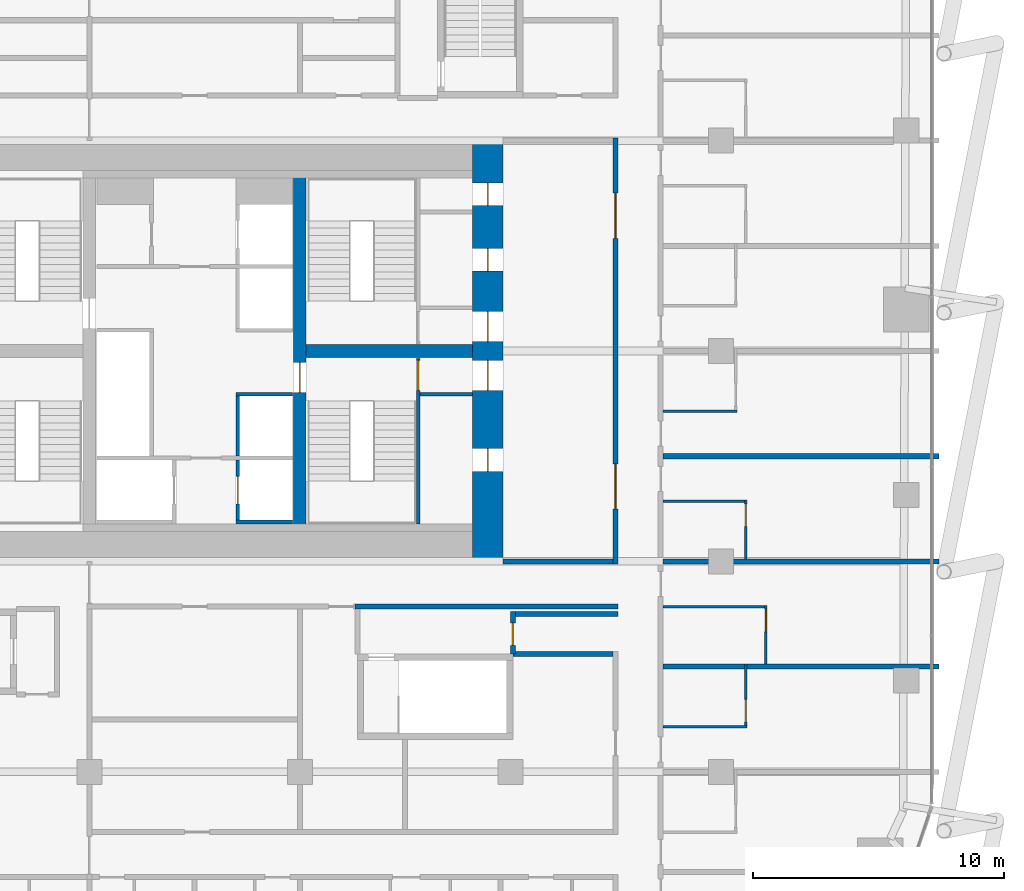
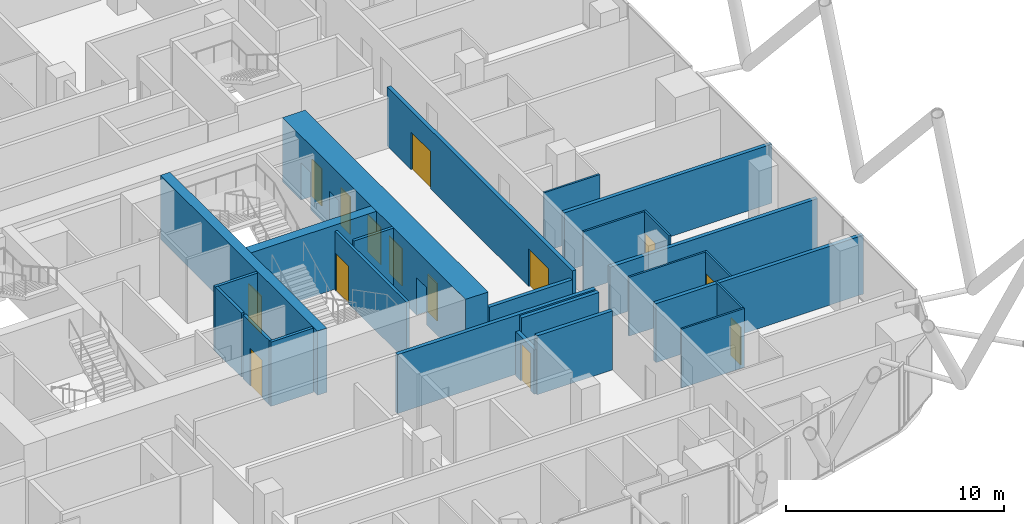
# One storey, part 30 of 36: 25 walls, 14 doors, 14 openings.
"""IFC4 building model written with IfcOpenShell, lengths in metres."""

from ifc_helpers import new_model, si_unit, direction, frame, frame_2d, origin, place, context, subcontext, project, spatial, rectangle, extrude, material, layer, layer_set, type_object, element, fill, save


model = new_model("IFC4")

# Units and contexts
model_context = context("Model", 3, precision=1e-05, world=origin(), true_north=direction((0.0, 1.0)))
body_context = subcontext(model_context, "Body", "Model", "MODEL_VIEW")
ifc_project = project(units=[si_unit("LENGTHUNIT", "METRE"), si_unit("AREAUNIT", "SQUARE_METRE"), si_unit("VOLUMEUNIT", "CUBIC_METRE"), si_unit("PLANEANGLEUNIT", "RADIAN"), si_unit("MASSUNIT", "GRAM", prefix="KILO")], contexts=[model_context])

# Site, building, storey
site_placement = place(None, origin())
site = spatial("IfcSite", under=ifc_project, at=site_placement, CompositionType="ELEMENT")
building_placement = place(site_placement, origin())
building = spatial("IfcBuilding", under=site, at=building_placement, Name="Marenta Gate Hotel Tower", CompositionType="ELEMENT")
storey_placement = place(building_placement, frame((0.0, 0.0, 83.300048828125)))
storey = spatial("IfcBuildingStorey", under=building, at=storey_placement, Name="L19", CompositionType="ELEMENT", Elevation=83.300048828125)

# Wall, openings, doors
ifc_material_1 = material(Name="Concrete blockwork", Category="masonry")
ifc_layer_1 = layer(ifc_material_1, 0.199951171875)
ifc_layer_set_1 = layer_set([ifc_layer_1], Name="Concrete blockwork")
wall_type_1 = type_object("IfcWallType", Name="Core boundary wall 200 REI 180", PredefinedType="PARTITIONING", material=ifc_layer_set_1)
wall_1_placement = place(storey_placement, frame((16.800048828125, -0.10009765625, 0.0), z_axis=(0.0, 0.0, 1.0), x_axis=(0.0, 1.0, 0.0)))
wall_1 = element("IfcWall", 1, at=wall_1_placement, inside=storey, type_object=wall_type_1, Name="L19-CP-BW-E", PredefinedType="PARTITIONING", context=body_context, shape_type="SweptSolid", body=[
    extrude(rectangle(XDim=17.0, YDim=0.199951171875, at=frame_2d((8.5, 0.0))), origin(), (0.0, 0.0, 1.0), 3.300048828125),
])
opening_1_placement = place(wall_1_placement, frame((2.199951171875, 0.0, 0.0)))
opening_1 = element("IfcOpeningElement", 2, at=opening_1_placement, cuts=wall_1, Name="Opening ED-Ea-B", PredefinedType="OPENING", context=body_context, shape_type="SweptSolid", body=[
    extrude(rectangle(XDim=1.800048828125, YDim=2.10009765625, at=frame_2d((0.89990234375, 1.050048828125))), frame((0.0, 0.10009765625, 0.0), z_axis=(0.0, -1.0, 0.0), x_axis=(1.0, 0.0, 0.0)), (0.0, 0.0, 1.0), 0.199951171875),
])
opening_2_placement = place(wall_1_placement, frame((13.0, 0.0, 0.0)))
opening_2 = element("IfcOpeningElement", 3, at=opening_2_placement, cuts=wall_1, Name="Opening ED-Eb-B", PredefinedType="OPENING", context=body_context, shape_type="SweptSolid", body=[
    extrude(rectangle(XDim=1.800048828125, YDim=2.10009765625, at=frame_2d((0.89990234375, 1.050048828125))), frame((0.0, 0.10009765625, 0.0), z_axis=(0.0, -1.0, 0.0), x_axis=(1.0, 0.0, 0.0)), (0.0, 0.0, 1.0), 0.199951171875),
])
ifc_material_2 = material(Name="Steel", Category="steel")
door_type_1 = type_object("IfcDoorType", Name="Core lobby entrance door 1800x2100 EI 60", OperationType="DOUBLE_DOOR_SINGLE_SWING", PredefinedType="DOOR", material=ifc_material_2)
door_1_placement = place(opening_1_placement, origin())
door_1 = element("IfcDoor", 4, at=door_1_placement, inside=storey, type_object=door_type_1, Name="ED-Ea-B", OperationType="DOUBLE_DOOR_SINGLE_SWING", OverallHeight=2.10009765625, OverallWidth=1.800048828125, PredefinedType="DOOR", context=body_context, shape_type="SweptSolid", body=[
    extrude(rectangle(XDim=1.800048828125, YDim=2.10009765625, at=frame_2d((0.89990234375, 1.050048828125))), frame((0.0, 0.02490234375, 0.0), z_axis=(0.0, -1.0, 0.0), x_axis=(1.0, 0.0, 0.0)), (0.0, 0.0, 1.0), 0.050048828125),
])
fill(opening_1, door_1)
door_2_placement = place(opening_2_placement, origin())
door_2 = element("IfcDoor", 5, at=door_2_placement, inside=storey, type_object=door_type_1, Name="ED-Eb-B", OperationType="DOUBLE_DOOR_SINGLE_SWING", OverallHeight=2.10009765625, OverallWidth=1.800048828125, PredefinedType="DOOR", context=body_context, shape_type="SweptSolid", body=[
    extrude(rectangle(XDim=1.800048828125, YDim=2.10009765625, at=frame_2d((0.89990234375, 1.050048828125))), frame((0.0, 0.02490234375, 0.0), z_axis=(0.0, -1.0, 0.0), x_axis=(1.0, 0.0, 0.0)), (0.0, 0.0, 1.0), 0.050048828125),
])
fill(opening_2, door_2)

# Walls
wall_2_placement = place(storey_placement, frame((12.300048828125, 0.0, 0.0), z_axis=(0.0, 0.0, 1.0), x_axis=(1.0, 0.0, 0.0)))
element("IfcWall", 6, at=wall_2_placement, inside=storey, type_object=wall_type_1, Name="L19-CP-EW-ES", PredefinedType="PARTITIONING", context=body_context, shape_type="SweptSolid", body=[
    extrude(rectangle(XDim=4.39990234375, YDim=0.199951171875, at=frame_2d((2.199951171875, 0.0))), origin(), (0.0, 0.0, 1.0), 2.800048828125),
])
ifc_material_3 = material(Name="Concrete blockwork", Category="masonry")
ifc_layer_2 = layer(ifc_material_3, 0.14990234375)
ifc_layer_set_2 = layer_set([ifc_layer_2], Name="Concrete blockwork")
wall_type_2 = type_object("IfcWallType", Name="Core room partition 150 REI 180", PredefinedType="PARTITIONING", material=ifc_layer_set_2)
wall_3_placement = place(storey_placement, frame((9.0, 6.675048828125, 0.0), z_axis=(0.0, 0.0, 1.0), x_axis=(1.0, 0.0, 0.0)))
element("IfcWall", 7, at=wall_3_placement, inside=storey, type_object=wall_type_2, Name="L19-CP-SW-ES-2", PredefinedType="PARTITIONING", context=body_context, shape_type="SweptSolid", body=[
    extrude(rectangle(XDim=2.10009765625, YDim=0.14990234375, at=frame_2d((1.050048828125, 0.0))), origin(), (0.0, 0.0, 1.0), 3.599853515625),
])

# Wall, opening, door
ifc_material_4 = material(Name="Concrete C40", Category="concrete")
ifc_layer_3 = layer(ifc_material_4, 0.14990234375)
ifc_layer_set_3 = layer_set([ifc_layer_3], Name="Concrete C40")
wall_type_3 = type_object("IfcWallType", Name="Core shaft wall 150 REI 180", PredefinedType="SHEAR", material=ifc_layer_set_3)
wall_4_placement = place(storey_placement, frame((1.72509765625, 1.64990234375, 0.0), z_axis=(0.0, 0.0, 1.0), x_axis=(0.0, 1.0, 0.0)))
wall_4 = element("IfcWall", 8, at=wall_4_placement, inside=storey, type_object=wall_type_3, Name="L19-SHF-CE-S-ls", PredefinedType="SHEAR", context=body_context, shape_type="SweptSolid", body=[
    extrude(rectangle(XDim=2.400146484375, YDim=0.14990234375, at=frame_2d((1.2001953125, 0.0))), origin(), (0.0, 0.0, 1.0), 3.599853515625),
])
opening_3_placement = place(wall_4_placement, frame((0.64990234375, 0.0, 0.0)))
opening_3 = element("IfcOpeningElement", 9, at=opening_3_placement, cuts=wall_4, Name="Opening LD-SV1", PredefinedType="OPENING", context=body_context, shape_type="SweptSolid", body=[
    extrude(rectangle(XDim=1.10009765625, YDim=2.10009765625, at=frame_2d((0.550048828125, 1.050048828125))), frame((0.0, 0.074951171875, 0.0), z_axis=(0.0, -1.0, 0.0), x_axis=(1.0, 0.0, 0.0)), (0.0, 0.0, 1.0), 0.14990234375),
])
ifc_material_5 = material(Name="Steel", Category="steel")
door_type_2 = type_object("IfcDoorType", Name="Core lift landing door 1100x2100 E 60", OperationType="SLIDING_TO_LEFT", PredefinedType="DOOR", material=ifc_material_5)
door_3_placement = place(opening_3_placement, origin())
door_3 = element("IfcDoor", 10, at=door_3_placement, inside=storey, type_object=door_type_2, Name="LD-SV1", OperationType="SLIDING_TO_LEFT", OverallHeight=2.10009765625, OverallWidth=1.10009765625, PredefinedType="DOOR", context=body_context, shape_type="SweptSolid", body=[
    extrude(rectangle(XDim=1.10009765625, YDim=2.10009765625, at=frame_2d((0.550048828125, 1.050048828125))), frame((0.0, 0.02490234375, 0.0), z_axis=(0.0, -1.0, 0.0), x_axis=(1.0, 0.0, 0.0)), (0.0, 0.0, 1.0), 0.050048828125),
])
fill(opening_3, door_3)

# Walls
for number, where, z_axis, x_axis, name in (
    (11, (1.64990234375, 1.574951171875, 0.0), (0.0, 0.0, 1.0), (1.0, 0.0, 0.0), "L19-SHF-CE-S-bot"),
    (12, (1.64990234375, 6.675048828125, 0.0), (0.0, 0.0, 1.0), (1.0, 0.0, 0.0), "L19-SHF-CE-sep1"),
):
    element("IfcWall", number, at=place(storey_placement, frame(where, z_axis=z_axis, x_axis=x_axis)), inside=storey, type_object=wall_type_3, Name=name, PredefinedType="SHEAR", context=body_context, shape_type="SweptSolid", body=[
        extrude(rectangle(XDim=2.25, YDim=0.14990234375, at=frame_2d((1.125, 0.0))), origin(), (0.0, 0.0, 1.0), 3.599853515625),
    ])
wall_5_placement = place(storey_placement, frame((1.72509765625, 4.199951171875, 0.0), z_axis=(0.0, 0.0, 1.0), x_axis=(0.0, 1.0, 0.0)))
element("IfcWall", 13, at=wall_5_placement, inside=storey, type_object=wall_type_3, Name="L19-SHF-CE-front-1", PredefinedType="SHEAR", context=body_context, shape_type="SweptSolid", body=[
    extrude(rectangle(XDim=2.400146484375, YDim=0.14990234375, at=frame_2d((1.2001953125, 0.0))), origin(), (0.0, 0.0, 1.0), 3.599853515625),
])

# Wall, opening, door
ifc_material_6 = material(Name="Concrete C40", Category="concrete")
ifc_layer_4 = layer(ifc_material_6, 0.14990234375)
ifc_layer_set_4 = layer_set([ifc_layer_4], Name="Concrete C40")
wall_type_4 = type_object("IfcWallType", Name="Core stair enclosure wall 150 REI 180", PredefinedType="SHEAR", material=ifc_layer_set_4)
wall_6_placement = place(storey_placement, frame((8.925048828125, 1.5, 0.0), z_axis=(0.0, 0.0, 1.0), x_axis=(0.0, 1.0, 0.0)))
wall_6 = element("IfcWall", 14, at=wall_6_placement, inside=storey, type_object=wall_type_4, Name="L19-SHF-SW-ES-3", PredefinedType="SHEAR", context=body_context, shape_type="SweptSolid", body=[
    extrude(rectangle(XDim=6.60009765625, YDim=0.14990234375, at=frame_2d((3.300048828125, 0.0))), origin(), (0.0, 0.0, 1.0), 3.300048828125),
])
opening_4_placement = place(wall_6_placement, frame((5.324951171875, 0.0, 0.0)))
opening_4 = element("IfcOpeningElement", 15, at=opening_4_placement, cuts=wall_6, Name="Opening SD-ES", PredefinedType="OPENING", context=body_context, shape_type="SweptSolid", body=[
    extrude(rectangle(XDim=1.199951171875, YDim=2.10009765625, at=frame_2d((0.60009765625, 1.050048828125))), frame((0.0, 0.074951171875, 0.0), z_axis=(0.0, -1.0, 0.0), x_axis=(1.0, 0.0, 0.0)), (0.0, 0.0, 1.0), 0.14990234375),
])
ifc_material_7 = material(Name="Steel", Category="steel")
door_type_3 = type_object("IfcDoorType", Name="Core stair door 1200x2100 FD60", OperationType="SINGLE_SWING_LEFT", PredefinedType="DOOR", material=ifc_material_7)
door_4_placement = place(opening_4_placement, origin())
door_4 = element("IfcDoor", 16, at=door_4_placement, inside=storey, type_object=door_type_3, Name="SD-ES", OperationType="SINGLE_SWING_LEFT", OverallHeight=2.10009765625, OverallWidth=1.199951171875, PredefinedType="DOOR", context=body_context, shape_type="SweptSolid", body=[
    extrude(rectangle(XDim=1.199951171875, YDim=2.10009765625, at=frame_2d((0.60009765625, 1.050048828125))), frame((0.0, 0.02490234375, 0.0), z_axis=(0.0, -1.0, 0.0), x_axis=(1.0, 0.0, 0.0)), (0.0, 0.0, 1.0), 0.050048828125),
])
fill(opening_4, door_4)

# Wall, openings, doors
ifc_material_8 = material(Name="Concrete C80", Category="concrete")
ifc_layer_5 = layer(ifc_material_8, 1.199951171875)
ifc_layer_set_5 = layer_set([ifc_layer_5], Name="Concrete C80")
wall_type_5 = type_object("IfcWallType", Name="Core wall 1200 C80", PredefinedType="SHEAR", material=ifc_layer_set_5)
wall_7_placement = place(storey_placement, frame((11.699951171875, 0.0, 0.0), z_axis=(0.0, 0.0, 1.0), x_axis=(0.0, 1.0, 0.0)))
wall_7 = element("IfcWall", 17, at=wall_7_placement, inside=storey, type_object=wall_type_5, Name="L19-CORE-E", PredefinedType="SHEAR", context=body_context, shape_type="SweptSolid", body=[
    extrude(rectangle(XDim=16.800048828125, YDim=1.199951171875, at=frame_2d((8.39990234375, 0.0))), origin(), (0.0, 0.0, 1.0), 3.599853515625),
])
opening_5_placement = place(wall_7_placement, frame((3.60009765625, 0.0, 0.0)))
opening_5 = element("IfcOpeningElement", 18, at=opening_5_placement, cuts=wall_7, Name="Opening RD-ES-1", PredefinedType="OPENING", context=body_context, shape_type="SweptSolid", body=[
    extrude(rectangle(XDim=0.89990234375, YDim=2.10009765625, at=frame_2d((0.449951171875, 1.050048828125))), frame((0.0, 0.60009765625, 0.0), z_axis=(0.0, -1.0, 0.0), x_axis=(1.0, 0.0, 0.0)), (0.0, 0.0, 1.0), 1.199951171875),
])
opening_6_placement = place(wall_7_placement, frame((6.824951171875, 0.0, 0.0)))
opening_6 = element("IfcOpeningElement", 19, at=opening_6_placement, cuts=wall_7, Name="Opening PD-ES", PredefinedType="OPENING", context=body_context, shape_type="SweptSolid", body=[
    extrude(rectangle(XDim=1.199951171875, YDim=2.10009765625, at=frame_2d((0.60009765625, 1.050048828125))), frame((0.0, 0.60009765625, 0.0), z_axis=(0.0, -1.0, 0.0), x_axis=(1.0, 0.0, 0.0)), (0.0, 0.0, 1.0), 1.199951171875),
])
opening_7_placement = place(wall_7_placement, frame((14.21240234375, 0.0, 0.0)))
opening_7 = element("IfcOpeningElement", 20, at=opening_7_placement, cuts=wall_7, Name="Opening RD-EN-1", PredefinedType="OPENING", context=body_context, shape_type="SweptSolid", body=[
    extrude(rectangle(XDim=0.89990234375, YDim=2.10009765625, at=frame_2d((0.449951171875, 1.050048828125))), frame((0.0, 0.60009765625, 0.0), z_axis=(0.0, -1.0, 0.0), x_axis=(1.0, 0.0, 0.0)), (0.0, 0.0, 1.0), 1.199951171875),
])
opening_8_placement = place(wall_7_placement, frame((11.58740234375, 0.0, 0.0)))
opening_8 = element("IfcOpeningElement", 21, at=opening_8_placement, cuts=wall_7, Name="Opening RD-EN-2", PredefinedType="OPENING", context=body_context, shape_type="SweptSolid", body=[
    extrude(rectangle(XDim=0.89990234375, YDim=2.10009765625, at=frame_2d((0.449951171875, 1.050048828125))), frame((0.0, 0.60009765625, 0.0), z_axis=(0.0, -1.0, 0.0), x_axis=(1.0, 0.0, 0.0)), (0.0, 0.0, 1.0), 1.199951171875),
])
opening_9_placement = place(wall_7_placement, frame((8.77490234375, 0.0, 0.0)))
opening_9 = element("IfcOpeningElement", 22, at=opening_9_placement, cuts=wall_7, Name="Opening PD-EN", PredefinedType="OPENING", context=body_context, shape_type="SweptSolid", body=[
    extrude(rectangle(XDim=1.199951171875, YDim=2.10009765625, at=frame_2d((0.60009765625, 1.050048828125))), frame((0.0, 0.60009765625, 0.0), z_axis=(0.0, -1.0, 0.0), x_axis=(1.0, 0.0, 0.0)), (0.0, 0.0, 1.0), 1.199951171875),
])
ifc_material_9 = material(Name="Steel", Category="steel")
door_type_4 = type_object("IfcDoorType", Name="Core lobby door 1200x2100 FD60", OperationType="SINGLE_SWING_LEFT", PredefinedType="DOOR", material=ifc_material_9)
door_5_placement = place(opening_6_placement, origin())
door_5 = element("IfcDoor", 23, at=door_5_placement, inside=storey, type_object=door_type_4, Name="PD-ES", OperationType="SINGLE_SWING_LEFT", OverallHeight=2.10009765625, OverallWidth=1.199951171875, PredefinedType="DOOR", context=body_context, shape_type="SweptSolid", body=[
    extrude(rectangle(XDim=1.199951171875, YDim=2.10009765625, at=frame_2d((0.60009765625, 1.050048828125))), frame((0.0, 0.02490234375, 0.0), z_axis=(0.0, -1.0, 0.0), x_axis=(1.0, 0.0, 0.0)), (0.0, 0.0, 1.0), 0.050048828125),
])
fill(opening_6, door_5)
door_6_placement = place(opening_9_placement, origin())
door_6 = element("IfcDoor", 24, at=door_6_placement, inside=storey, type_object=door_type_4, Name="PD-EN", OperationType="SINGLE_SWING_LEFT", OverallHeight=2.10009765625, OverallWidth=1.199951171875, PredefinedType="DOOR", context=body_context, shape_type="SweptSolid", body=[
    extrude(rectangle(XDim=1.199951171875, YDim=2.10009765625, at=frame_2d((0.60009765625, 1.050048828125))), frame((0.0, 0.02490234375, 0.0), z_axis=(0.0, -1.0, 0.0), x_axis=(1.0, 0.0, 0.0)), (0.0, 0.0, 1.0), 0.050048828125),
])
fill(opening_9, door_6)
ifc_material_10 = material(Name="Steel", Category="steel")
door_type_5 = type_object("IfcDoorType", Name="Core service room door 900x2100 FD30S", OperationType="SINGLE_SWING_LEFT", PredefinedType="DOOR", material=ifc_material_10)
door_7_placement = place(opening_5_placement, origin())
door_7 = element("IfcDoor", 25, at=door_7_placement, inside=storey, type_object=door_type_5, Name="RD-ES-1", OperationType="SINGLE_SWING_LEFT", OverallHeight=2.10009765625, OverallWidth=0.89990234375, PredefinedType="DOOR", context=body_context, shape_type="SweptSolid", body=[
    extrude(rectangle(XDim=0.89990234375, YDim=2.10009765625, at=frame_2d((0.449951171875, 1.050048828125))), frame((0.0, 0.02490234375, 0.0), z_axis=(0.0, -1.0, 0.0), x_axis=(1.0, 0.0, 0.0)), (0.0, 0.0, 1.0), 0.050048828125),
])
fill(opening_5, door_7)
door_8_placement = place(opening_7_placement, origin())
door_8 = element("IfcDoor", 26, at=door_8_placement, inside=storey, type_object=door_type_5, Name="RD-EN-1", OperationType="SINGLE_SWING_LEFT", OverallHeight=2.10009765625, OverallWidth=0.89990234375, PredefinedType="DOOR", context=body_context, shape_type="SweptSolid", body=[
    extrude(rectangle(XDim=0.89990234375, YDim=2.10009765625, at=frame_2d((0.449951171875, 1.050048828125))), frame((0.0, 0.02490234375, 0.0), z_axis=(0.0, -1.0, 0.0), x_axis=(1.0, 0.0, 0.0)), (0.0, 0.0, 1.0), 0.050048828125),
])
fill(opening_7, door_8)
door_9_placement = place(opening_8_placement, origin())
door_9 = element("IfcDoor", 27, at=door_9_placement, inside=storey, type_object=door_type_5, Name="RD-EN-2", OperationType="SINGLE_SWING_LEFT", OverallHeight=2.10009765625, OverallWidth=0.89990234375, PredefinedType="DOOR", context=body_context, shape_type="SweptSolid", body=[
    extrude(rectangle(XDim=0.89990234375, YDim=2.10009765625, at=frame_2d((0.449951171875, 1.050048828125))), frame((0.0, 0.02490234375, 0.0), z_axis=(0.0, -1.0, 0.0), x_axis=(1.0, 0.0, 0.0)), (0.0, 0.0, 1.0), 0.050048828125),
])
fill(opening_8, door_9)

# Wall, opening, door
ifc_material_11 = material(Name="Concrete C80", Category="concrete")
ifc_layer_6 = layer(ifc_material_11, 0.5)
ifc_layer_set_6 = layer_set([ifc_layer_6], Name="Concrete C80")
wall_type_6 = type_object("IfcWallType", Name="Core web 500 C80", PredefinedType="SHEAR", material=ifc_layer_set_6)
wall_8_placement = place(storey_placement, frame((4.199951171875, 1.199951171875, 0.0), z_axis=(0.0, 0.0, 1.0), x_axis=(0.0, 1.0, 0.0)))
wall_8 = element("IfcWall", 28, at=wall_8_placement, inside=storey, type_object=wall_type_6, Name="L19-CORE-W2", PredefinedType="SHEAR", context=body_context, shape_type="SweptSolid", body=[
    extrude(rectangle(XDim=14.400146484375, YDim=0.5, at=frame_2d((7.2001953125, 0.0))), origin(), (0.0, 0.0, 1.0), 3.599853515625),
])
opening_10_placement = place(wall_8_placement, frame((5.550048828125, 0.0, 0.0)))
opening_10 = element("IfcOpeningElement", 29, at=opening_10_placement, cuts=wall_8, Name="Opening WD-E", PredefinedType="OPENING", context=body_context, shape_type="SweptSolid", body=[
    extrude(rectangle(XDim=1.199951171875, YDim=2.10009765625, at=frame_2d((0.60009765625, 1.050048828125))), frame((0.0, 0.25, 0.0), z_axis=(0.0, -1.0, 0.0), x_axis=(1.0, 0.0, 0.0)), (0.0, 0.0, 1.0), 0.5),
])
door_10_placement = place(opening_10_placement, origin())
door_10 = element("IfcDoor", 30, at=door_10_placement, inside=storey, type_object=door_type_3, Name="WD-E", OperationType="SINGLE_SWING_LEFT", OverallHeight=2.10009765625, OverallWidth=1.199951171875, PredefinedType="DOOR", context=body_context, shape_type="SweptSolid", body=[
    extrude(rectangle(XDim=1.199951171875, YDim=2.10009765625, at=frame_2d((0.60009765625, 1.050048828125))), frame((0.0, 0.02490234375, 0.0), z_axis=(0.0, -1.0, 0.0), x_axis=(1.0, 0.0, 0.0)), (0.0, 0.0, 1.0), 0.050048828125),
])
fill(opening_10, door_10)

# Walls
wall_9_placement = place(storey_placement, frame((4.449951171875, 8.39990234375, 0.0), z_axis=(0.0, 0.0, 1.0), x_axis=(1.0, 0.0, 0.0)))
element("IfcWall", 31, at=wall_9_placement, inside=storey, type_object=wall_type_6, Name="L19-CORE-W4", PredefinedType="SHEAR", context=body_context, shape_type="SweptSolid", body=[
    extrude(rectangle(XDim=6.650146484375, YDim=0.5, at=frame_2d((3.3251953125, 0.0))), origin(), (0.0, 0.0, 1.0), 3.599853515625),
])
ifc_material_12 = material(Name="Gypsum board on steel stud", Category="steel")
ifc_layer_7 = layer(ifc_material_12, 0.199951171875)
ifc_layer_set_7 = layer_set([ifc_layer_7], Name="Gypsum board on steel stud")
wall_type_7 = type_object("IfcWallType", Name="Room corridor wall 200 EI 60", PredefinedType="PARTITIONING", material=ifc_layer_set_7)
wall_10_placement = place(storey_placement, frame((12.699951171875, -3.699951171875, 0.0), z_axis=(0.0, 0.0, 1.0), x_axis=(1.0, 0.0, 0.0)))
element("IfcWall", 32, at=wall_10_placement, inside=storey, type_object=wall_type_7, Name="L19-PTN-W062", PredefinedType="PARTITIONING", context=body_context, shape_type="SweptSolid", body=[
    extrude(rectangle(XDim=4.0, YDim=0.199951171875, at=frame_2d((2.0, 0.0))), origin(), (0.0, 0.0, 1.0), 3.300048828125),
])

# Wall, opening, door
ifc_material_13 = material(Name="Concrete blockwork", Category="masonry")
ifc_layer_8 = layer(ifc_material_13, 0.199951171875)
ifc_layer_set_8 = layer_set([ifc_layer_8], Name="Concrete blockwork")
wall_type_8 = type_object("IfcWallType", Name="Room corridor wall 200 REI 180", PredefinedType="PARTITIONING", material=ifc_layer_set_8)
wall_11_placement = place(storey_placement, frame((12.699951171875, -3.699951171875, 0.0), z_axis=(0.0, 0.0, 1.0), x_axis=(0.0, 1.0, 0.0)))
wall_11 = element("IfcWall", 33, at=wall_11_placement, inside=storey, type_object=wall_type_8, Name="L19-PTN-W034", PredefinedType="PARTITIONING", context=body_context, shape_type="SweptSolid", body=[
    extrude(rectangle(XDim=1.699951171875, YDim=0.199951171875, at=frame_2d((0.85009765625, 0.0))), origin(), (0.0, 0.0, 1.0), 2.48583984375),
])
opening_11_placement = place(wall_11_placement, frame((0.35009765625, 0.0, 0.0)))
opening_11 = element("IfcOpeningElement", 34, at=opening_11_placement, cuts=wall_11, Name="Opening G07-64", PredefinedType="OPENING", context=body_context, shape_type="SweptSolid", body=[
    extrude(rectangle(XDim=0.89990234375, YDim=2.10009765625, at=frame_2d((0.449951171875, 1.050048828125))), frame((0.0, 0.10009765625, 0.0), z_axis=(0.0, -1.0, 0.0), x_axis=(1.0, 0.0, 0.0)), (0.0, 0.0, 1.0), 0.199951171875),
])
ifc_material_14 = material(Name="Hollow steel door set", Category="steel")
door_type_6 = type_object("IfcDoorType", Name="Stair vestibule door 900x2100 EI 60", OperationType="NOTDEFINED", PredefinedType="DOOR", material=ifc_material_14)
door_11_placement = place(opening_11_placement, origin())
door_11 = element("IfcDoor", 35, at=door_11_placement, inside=storey, type_object=door_type_6, Name="L19-PD-D064", OperationType="SINGLE_SWING_LEFT", OverallHeight=2.10009765625, OverallWidth=0.89990234375, PredefinedType="DOOR", context=body_context, shape_type="SweptSolid", body=[
    extrude(rectangle(XDim=0.89990234375, YDim=2.10009765625, at=frame_2d((0.449951171875, 1.050048828125))), frame((0.0, 0.02490234375, 0.0), z_axis=(0.0, -1.0, 0.0), x_axis=(1.0, 0.0, 0.0)), (0.0, 0.0, 1.0), 0.050048828125),
])
fill(opening_11, door_11)

# Walls
wall_12_placement = place(storey_placement, frame((12.800048828125, -2.10009765625, 0.0), z_axis=(0.0, 0.0, 1.0), x_axis=(1.0, 0.0, 0.0)))
element("IfcWall", 36, at=wall_12_placement, inside=storey, type_object=wall_type_8, Name="L19-PTN-W064", PredefinedType="PARTITIONING", context=body_context, shape_type="SweptSolid", body=[
    extrude(rectangle(XDim=4.099853515625, YDim=0.199951171875, at=frame_2d((2.0498046875, 0.0))), origin(), (0.0, 0.0, 1.0), 3.300048828125),
])
wall_13_placement = place(storey_placement, frame((6.39990234375, -1.800048828125, 0.0), z_axis=(0.0, 0.0, 1.0), x_axis=(1.0, 0.0, 0.0)))
element("IfcWall", 37, at=wall_13_placement, inside=storey, type_object=wall_type_8, Name="L19-PTN-W069", PredefinedType="PARTITIONING", context=body_context, shape_type="SweptSolid", body=[
    extrude(rectangle(XDim=10.5, YDim=0.199951171875, at=frame_2d((5.25, 0.0))), origin(), (0.0, 0.0, 1.0), 3.300048828125),
])

# Wall, opening, door
ifc_material_15 = material(Name="Gypsum board on steel stud", Category="steel")
ifc_layer_9 = layer(ifc_material_15, 0.10009765625)
ifc_layer_set_9 = layer_set([ifc_layer_9], Name="Gypsum board on steel stud")
wall_type_9 = type_object("IfcWallType", Name="Room partition 100", PredefinedType="PARTITIONING", material=ifc_layer_set_9)
wall_14_placement = place(storey_placement, frame((22.800048828125, -4.10009765625, 0.0), z_axis=(0.0, 0.0, 1.0), x_axis=(0.0, 1.0, 0.0)))
wall_14 = element("IfcWall", 38, at=wall_14_placement, inside=storey, type_object=wall_type_9, Name="L19-PTN-W001", PredefinedType="PARTITIONING", context=body_context, shape_type="SweptSolid", body=[
    extrude(rectangle(XDim=2.35009765625, YDim=0.10009765625, at=frame_2d((1.175048828125, 0.0))), origin(), (0.0, 0.0, 1.0), 3.300048828125),
])
opening_12_placement = place(wall_14_placement, frame((1.300048828125, 0.0, 0.0)))
opening_12 = element("IfcOpeningElement", 39, at=opening_12_placement, cuts=wall_14, Name="Opening G07-14", PredefinedType="OPENING", context=body_context, shape_type="SweptSolid", body=[
    extrude(rectangle(XDim=0.89990234375, YDim=2.10009765625, at=frame_2d((0.449951171875, 1.050048828125))), frame((0.0, 0.050048828125, 0.0), z_axis=(0.0, -1.0, 0.0), x_axis=(1.0, 0.0, 0.0)), (0.0, 0.0, 1.0), 0.10009765625),
])
ifc_material_16 = material(Name="Timber door leaf", Category="wood")
door_type_7 = type_object("IfcDoorType", Name="Guest bathroom door 900x2100", OperationType="NOTDEFINED", PredefinedType="DOOR", material=ifc_material_16)
door_12_placement = place(opening_12_placement, origin())
door_12 = element("IfcDoor", 40, at=door_12_placement, inside=storey, type_object=door_type_7, Name="L19-PD-D014", OperationType="SINGLE_SWING_RIGHT", OverallHeight=2.10009765625, OverallWidth=0.89990234375, PredefinedType="DOOR", context=body_context, shape_type="SweptSolid", body=[
    extrude(rectangle(XDim=0.89990234375, YDim=2.10009765625, at=frame_2d((0.449951171875, 1.050048828125))), frame((0.0, 0.02490234375, 0.0), z_axis=(0.0, -1.0, 0.0), x_axis=(1.0, 0.0, 0.0)), (0.0, 0.0, 1.0), 0.050048828125),
])
fill(opening_12, door_12)

wall_15_placement = place(storey_placement, frame((22.0, -6.550048828125, 0.0), z_axis=(0.0, 0.0, 1.0), x_axis=(0.0, 1.0, 0.0)))
wall_15 = element("IfcWall", 41, at=wall_15_placement, inside=storey, type_object=wall_type_9, Name="L19-PTN-W002", PredefinedType="PARTITIONING", context=body_context, shape_type="SweptSolid", body=[
    extrude(rectangle(XDim=2.449951171875, YDim=0.10009765625, at=frame_2d((1.22509765625, 0.0))), origin(), (0.0, 0.0, 1.0), 3.300048828125),
])
opening_13_placement = place(wall_15_placement, frame((0.14990234375, 0.0, 0.0)))
opening_13 = element("IfcOpeningElement", 42, at=opening_13_placement, cuts=wall_15, Name="Opening G07-12", PredefinedType="OPENING", context=body_context, shape_type="SweptSolid", body=[
    extrude(rectangle(XDim=0.89990234375, YDim=2.10009765625, at=frame_2d((0.449951171875, 1.050048828125))), frame((0.0, 0.050048828125, 0.0), z_axis=(0.0, -1.0, 0.0), x_axis=(1.0, 0.0, 0.0)), (0.0, 0.0, 1.0), 0.10009765625),
])
door_13_placement = place(opening_13_placement, origin())
door_13 = element("IfcDoor", 43, at=door_13_placement, inside=storey, type_object=door_type_7, Name="L19-PD-D012", OperationType="SINGLE_SWING_LEFT", OverallHeight=2.10009765625, OverallWidth=0.89990234375, PredefinedType="DOOR", context=body_context, shape_type="SweptSolid", body=[
    extrude(rectangle(XDim=0.89990234375, YDim=2.10009765625, at=frame_2d((0.449951171875, 1.050048828125))), frame((0.0, 0.02490234375, 0.0), z_axis=(0.0, -1.0, 0.0), x_axis=(1.0, 0.0, 0.0)), (0.0, 0.0, 1.0), 0.050048828125),
])
fill(opening_13, door_13)

wall_16_placement = place(storey_placement, frame((22.0, 0.10009765625, 0.0), z_axis=(0.0, 0.0, 1.0), x_axis=(0.0, 1.0, 0.0)))
wall_16 = element("IfcWall", 44, at=wall_16_placement, inside=storey, type_object=wall_type_9, Name="L19-PTN-W003", PredefinedType="PARTITIONING", context=body_context, shape_type="SweptSolid", body=[
    extrude(rectangle(XDim=2.349853515625, YDim=0.10009765625, at=frame_2d((1.1748046875, 0.0))), origin(), (0.0, 0.0, 1.0), 3.300048828125),
])
opening_14_placement = place(wall_16_placement, frame((1.300048828125, 0.0, 0.0)))
opening_14 = element("IfcOpeningElement", 45, at=opening_14_placement, cuts=wall_16, Name="Opening G07-16", PredefinedType="OPENING", context=body_context, shape_type="SweptSolid", body=[
    extrude(rectangle(XDim=0.89990234375, YDim=2.10009765625, at=frame_2d((0.449951171875, 1.050048828125))), frame((0.0, 0.050048828125, 0.0), z_axis=(0.0, -1.0, 0.0), x_axis=(1.0, 0.0, 0.0)), (0.0, 0.0, 1.0), 0.10009765625),
])
door_14_placement = place(opening_14_placement, origin())
door_14 = element("IfcDoor", 46, at=door_14_placement, inside=storey, type_object=door_type_7, Name="L19-PD-D016", OperationType="SINGLE_SWING_RIGHT", OverallHeight=2.10009765625, OverallWidth=0.89990234375, PredefinedType="DOOR", context=body_context, shape_type="SweptSolid", body=[
    extrude(rectangle(XDim=0.89990234375, YDim=2.10009765625, at=frame_2d((0.449951171875, 1.050048828125))), frame((0.0, 0.02490234375, 0.0), z_axis=(0.0, -1.0, 0.0), x_axis=(1.0, 0.0, 0.0)), (0.0, 0.0, 1.0), 0.050048828125),
])
fill(opening_14, door_14)

# Walls
wall_17_placement = place(storey_placement, frame((18.699951171875, -6.60009765625, 0.0), z_axis=(0.0, 0.0, 1.0), x_axis=(1.0, 0.0, 0.0)))
element("IfcWall", 47, at=wall_17_placement, inside=storey, type_object=wall_type_9, Name="L19-PTN-W052", PredefinedType="PARTITIONING", context=body_context, shape_type="SweptSolid", body=[
    extrude(rectangle(XDim=3.35009765625, YDim=0.10009765625, at=frame_2d((1.675048828125, 0.0))), origin(), (0.0, 0.0, 1.0), 3.300048828125),
])
wall_18_placement = place(storey_placement, frame((18.699951171875, -1.800048828125, 0.0), z_axis=(0.0, 0.0, 1.0), x_axis=(1.0, 0.0, 0.0)))
element("IfcWall", 48, at=wall_18_placement, inside=storey, type_object=wall_type_9, Name="L19-PTN-W070", PredefinedType="PARTITIONING", context=body_context, shape_type="SweptSolid", body=[
    extrude(rectangle(XDim=4.050048828125, YDim=0.10009765625, at=frame_2d((2.02490234375, 0.0))), origin(), (0.0, 0.0, 1.0), 3.300048828125),
])
wall_19_placement = place(storey_placement, frame((18.699951171875, 2.39990234375, 0.0), z_axis=(0.0, 0.0, 1.0), x_axis=(1.0, 0.0, 0.0)))
element("IfcWall", 49, at=wall_19_placement, inside=storey, type_object=wall_type_9, Name="L19-PTN-W077", PredefinedType="PARTITIONING", context=body_context, shape_type="SweptSolid", body=[
    extrude(rectangle(XDim=3.25, YDim=0.10009765625, at=frame_2d((1.625, 0.0))), origin(), (0.0, 0.0, 1.0), 3.300048828125),
])
wall_20_placement = place(storey_placement, frame((18.699951171875, 6.0, 0.0), z_axis=(0.0, 0.0, 1.0), x_axis=(1.0, 0.0, 0.0)))
element("IfcWall", 50, at=wall_20_placement, inside=storey, type_object=wall_type_9, Name="L19-PTN-W084", PredefinedType="PARTITIONING", context=body_context, shape_type="SweptSolid", body=[
    extrude(rectangle(XDim=2.949951171875, YDim=0.10009765625, at=frame_2d((1.47509765625, 0.0))), origin(), (0.0, 0.0, 1.0), 3.300048828125),
])
ifc_material_17 = material(Name="Gypsum board on steel stud", Category="steel")
ifc_layer_10 = layer(ifc_material_17, 0.199951171875)
ifc_layer_set_10 = layer_set([ifc_layer_10], Name="Gypsum board on steel stud")
wall_type_10 = type_object("IfcWallType", Name="Room party wall 200 EI 60", PredefinedType="PARTITIONING", material=ifc_layer_set_10)
wall_21_placement = place(storey_placement, frame((18.699951171875, -4.199951171875, 0.0), z_axis=(0.0, 0.0, 1.0), x_axis=(1.0, 0.0, 0.0)))
element("IfcWall", 51, at=wall_21_placement, inside=storey, type_object=wall_type_10, Name="L19-PTN-W061", PredefinedType="PARTITIONING", context=body_context, shape_type="SweptSolid", body=[
    extrude(rectangle(XDim=11.0, YDim=0.199951171875, at=frame_2d((5.5, 0.0))), origin(), (0.0, 0.0, 1.0), 3.300048828125),
])
wall_22_placement = place(storey_placement, frame((18.699951171875, 0.0, 0.0), z_axis=(0.0, 0.0, 1.0), x_axis=(1.0, 0.0, 0.0)))
element("IfcWall", 52, at=wall_22_placement, inside=storey, type_object=wall_type_10, Name="L19-PTN-W074", PredefinedType="PARTITIONING", context=body_context, shape_type="SweptSolid", body=[
    extrude(rectangle(XDim=11.0, YDim=0.199951171875, at=frame_2d((5.5, 0.0))), origin(), (0.0, 0.0, 1.0), 2.800048828125),
])
wall_23_placement = place(storey_placement, frame((18.699951171875, 4.199951171875, 0.0), z_axis=(0.0, 0.0, 1.0), x_axis=(1.0, 0.0, 0.0)))
element("IfcWall", 53, at=wall_23_placement, inside=storey, type_object=wall_type_10, Name="L19-PTN-W082", PredefinedType="PARTITIONING", context=body_context, shape_type="SweptSolid", body=[
    extrude(rectangle(XDim=11.0, YDim=0.199951171875, at=frame_2d((5.5, 0.0))), origin(), (0.0, 0.0, 1.0), 3.300048828125),
])

save(model, "model.ifc")
